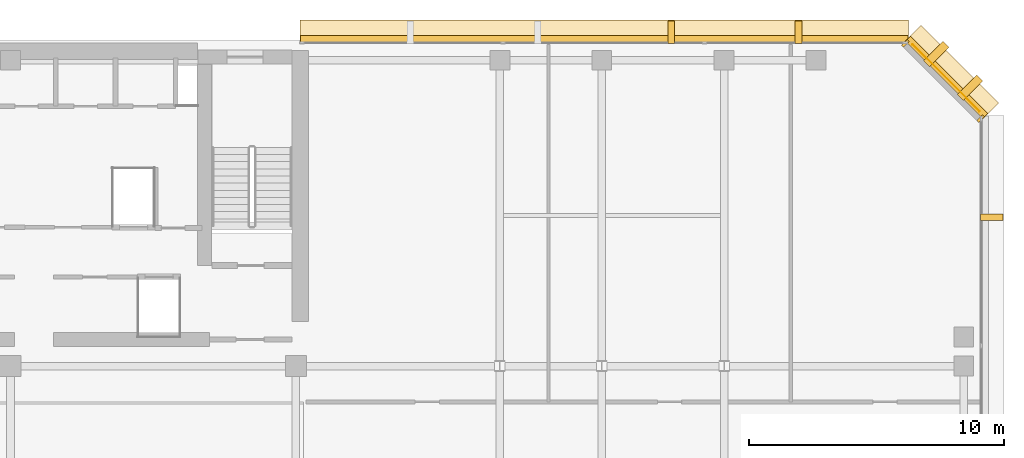
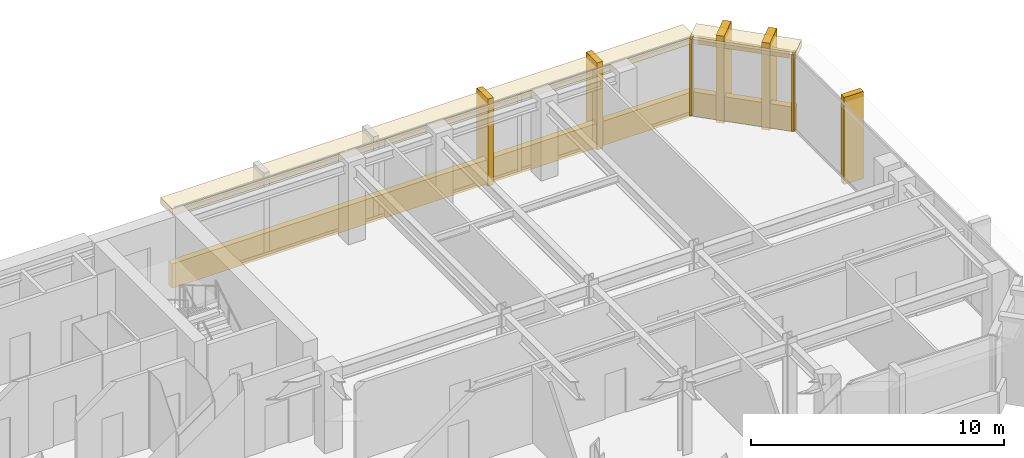
# One storey, part 12 of 12: 12 coverings.
"""IFC4 building model written with IfcOpenShell, lengths in metres."""

from ifc_helpers import new_model, si_unit, direction, frame, origin, origin_2d, place, context, subcontext, project, spatial, rectangle, extrude, material, layer, layer_set, type_object, element, save


model = new_model("IFC4")

# Units and contexts
model_context = context("Model", 3, precision=1e-05, world=origin(), true_north=direction((0.0, 1.0)))
body_context = subcontext(model_context, "Body", "Model", "MODEL_VIEW")
ifc_project = project(units=[si_unit("LENGTHUNIT", "METRE"), si_unit("AREAUNIT", "SQUARE_METRE"), si_unit("VOLUMEUNIT", "CUBIC_METRE"), si_unit("PLANEANGLEUNIT", "RADIAN"), si_unit("MASSUNIT", "GRAM", prefix="KILO")], contexts=[model_context])

# Site, building, storey
site_placement = place(None, origin())
site = spatial("IfcSite", under=ifc_project, at=site_placement, CompositionType="ELEMENT")
building_placement = place(site_placement, origin())
building = spatial("IfcBuilding", under=site, at=building_placement, Name="Kefirva Bronze Tower", CompositionType="ELEMENT")
storey_placement = place(building_placement, frame((0.0, 0.0, 256.409912109375)))
storey = spatial("IfcBuildingStorey", under=building, at=storey_placement, Name="L62", CompositionType="ELEMENT", Elevation=256.409912109375)

# Coverings
ifc_material = material(Name="Bronze anodised aluminium", Category="aluminium")
ifc_layer_1 = layer(ifc_material, 0.02001953125, Name="Bronze anodised aluminium")
ifc_layer_set_1 = layer_set([ifc_layer_1], Name="Bronze anodised aluminium")
covering_type_1 = type_object("IfcCoveringType", Name="Anodised Bronze Spandrel Cladding 20mm", PredefinedType="CLADDING", material=ifc_layer_set_1)
covering_1_placement = place(storey_placement, frame((48.70703125, 44.507080078125, 3.2900390625), z_axis=(0.0, 0.0, 1.0), x_axis=(-0.707106781187, 0.707106781187, 0.0)))
element("IfcCovering", 1, at=covering_1_placement, inside=storey, type_object=covering_type_1, Name="L62 Bronze Spandrel Cladding 5", PredefinedType="CLADDING", context=body_context, shape_type="SweptSolid", body=[
    extrude(rectangle(XDim=3.719482421875, YDim=0.02001953125, at=origin_2d()), origin(), (0.0, 0.0, 1.0), 0.39990234375),
])
for number, where, z_axis, x_axis, name in (
    (2, (50.06201171875, 42.91162109375, 0.0), (0.0, 0.0, 1.0), (-0.707106781187, 0.707106781187, 0.0), "L62 Facade Joint Closure Panel 5S"),
    (3, (47.11181640625, 45.862060546875, 0.0), (0.0, 0.0, 1.0), (-0.707106781187, 0.707106781187, 0.0), "L62 Facade Joint Closure Panel 5E"),
):
    element("IfcCovering", number, at=place(storey_placement, frame(where, z_axis=z_axis, x_axis=x_axis)), inside=storey, type_object=covering_type_1, Name=name, PredefinedType="CLADDING", context=body_context, shape_type="SweptSolid", body=[
        extrude(rectangle(XDim=0.10009765625, YDim=0.320068359375, at=origin_2d()), origin(), (0.0, 0.0, 1.0), 3.7099609375),
    ])
covering_2_placement = place(storey_placement, frame((48.728271484375, 44.5283203125, -0.15966796875), z_axis=(0.0, 0.0, 1.0), x_axis=(-0.707106781187, 0.707106781187, 0.0)))
element("IfcCovering", 4, at=covering_2_placement, inside=storey, type_object=covering_type_1, Name="L62 Streamline Horizontal Spandrel Band 7", PredefinedType="CLADDING", context=body_context, shape_type="SweptSolid", body=[
    extrude(rectangle(XDim=4.28271484375, YDim=0.280029296875, at=origin_2d()), origin(), (0.0, 0.0, 1.0), 1.179931640625),
])
covering_3_placement = place(storey_placement, frame((35.302490234375, 46.0400390625, -0.15966796875), z_axis=(0.0, 0.0, 1.0), x_axis=(-1.0, 0.0, 0.0)))
element("IfcCovering", 5, at=covering_3_placement, inside=storey, type_object=covering_type_1, Name="L62 Streamline Horizontal Spandrel Band 8", PredefinedType="CLADDING", context=body_context, shape_type="SweptSolid", body=[
    extrude(rectangle(XDim=23.8349609375, YDim=0.280029296875, at=origin_2d()), origin(), (0.0, 0.0, 1.0), 1.179931640625),
])
ifc_layer_2 = layer(ifc_material, 0.179931640625, Name="Bronze anodised aluminium")
ifc_layer_set_2 = layer_set([ifc_layer_2], Name="Bronze anodised aluminium")
covering_type_2 = type_object("IfcCoveringType", Name="Streamline Bronze Sunshade Eyebrow Cladding 180mm", PredefinedType="CLADDING", material=ifc_layer_set_2)
covering_4_placement = place(storey_placement, frame((48.919189453125, 44.71923828125, 3.39013671875), z_axis=(0.0, 0.0, 1.0), x_axis=(-0.707106781187, 0.707106781187, 0.0)))
element("IfcCovering", 6, at=covering_4_placement, inside=storey, type_object=covering_type_2, Name="L62 Streamline Bronze Sunshade Eyebrow 7", PredefinedType="CLADDING", context=body_context, shape_type="SweptSolid", body=[
    extrude(rectangle(XDim=4.322509765625, YDim=0.93994140625, at=origin_2d()), origin(), (0.0, 0.0, 1.0), 0.320068359375),
])
covering_5_placement = place(storey_placement, frame((35.302490234375, 46.31005859375, 3.39013671875), z_axis=(0.0, 0.0, 1.0), x_axis=(-1.0, 0.0, 0.0)))
element("IfcCovering", 7, at=covering_5_placement, inside=storey, type_object=covering_type_2, Name="L62 Streamline Bronze Sunshade Eyebrow 8", PredefinedType="CLADDING", context=body_context, shape_type="SweptSolid", body=[
    extrude(rectangle(XDim=23.875, YDim=0.93994140625, at=origin_2d()), origin(), (0.0, 0.0, 1.0), 0.320068359375),
])
ifc_layer_3 = layer(ifc_material, 0.260009765625, Name="Bronze anodised aluminium")
ifc_layer_set_3 = layer_set([ifc_layer_3], Name="Bronze anodised aluminium")
covering_type_3 = type_object("IfcCoveringType", Name="Unbroken Bronze Buttress Fin Cladding 260mm", PredefinedType="CLADDING", material=ifc_layer_set_3)
covering_6_placement = place(storey_placement, frame((50.5, 39.0400390625, -0.25), z_axis=(0.0, 0.0, 1.0), x_axis=(0.0, 1.0, 0.0)))
element("IfcCovering", 8, at=covering_6_placement, inside=storey, type_object=covering_type_3, Name="L62 Unbroken Vertical Bronze Rib Fin 14", PredefinedType="CLADDING", context=body_context, shape_type="SweptSolid", body=[
    extrude(rectangle(XDim=0.260009765625, YDim=0.8798828125, at=origin_2d()), origin(), (0.0, 0.0, 1.0), 4.2099609375),
])
for number, where, z_axis, x_axis, name in (
    (9, (49.642822265625, 44.122802734375, -0.25), (0.0, 0.0, 1.0), (-0.707106781187, 0.707106781187, 0.0), "L62 Chamfered Corner Buttress Fin Cladding 15"),
    (10, (48.32275390625, 45.44287109375, -0.25), (0.0, 0.0, 1.0), (-0.707106781187, 0.707106781187, 0.0), "L62 Chamfered Corner Buttress Fin Cladding 16"),
):
    element("IfcCovering", number, at=place(storey_placement, frame(where, z_axis=z_axis, x_axis=x_axis)), inside=storey, type_object=covering_type_3, Name=name, PredefinedType="CLADDING", context=body_context, shape_type="SweptSolid", body=[
        extrude(rectangle(XDim=0.340087890625, YDim=1.080078125, at=origin_2d()), origin(), (0.0, 0.0, 1.0), 4.2099609375),
    ])
for number, where, z_axis, x_axis, name in (
    (11, (42.9169921875, 46.300048828125, -0.25), (0.0, 0.0, 1.0), (-1.0, 0.0, 0.0), "L62 Unbroken Vertical Bronze Rib Fin 17"),
    (12, (37.919921875, 46.300048828125, -0.25), (0.0, 0.0, 1.0), (-1.0, 0.0, 0.0), "L62 Unbroken Vertical Bronze Rib Fin 18"),
):
    element("IfcCovering", number, at=place(storey_placement, frame(where, z_axis=z_axis, x_axis=x_axis)), inside=storey, type_object=covering_type_3, Name=name, PredefinedType="CLADDING", context=body_context, shape_type="SweptSolid", body=[
        extrude(rectangle(XDim=0.260009765625, YDim=0.8798828125, at=origin_2d()), origin(), (0.0, 0.0, 1.0), 4.2099609375),
    ])

save(model, "model.ifc")
